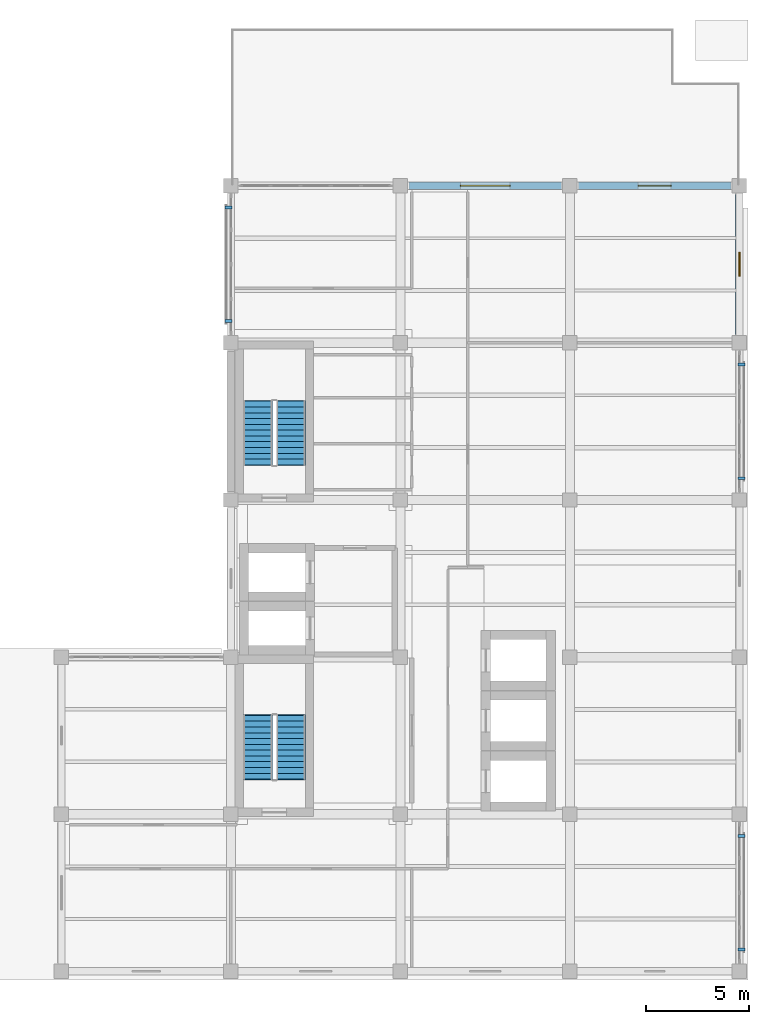
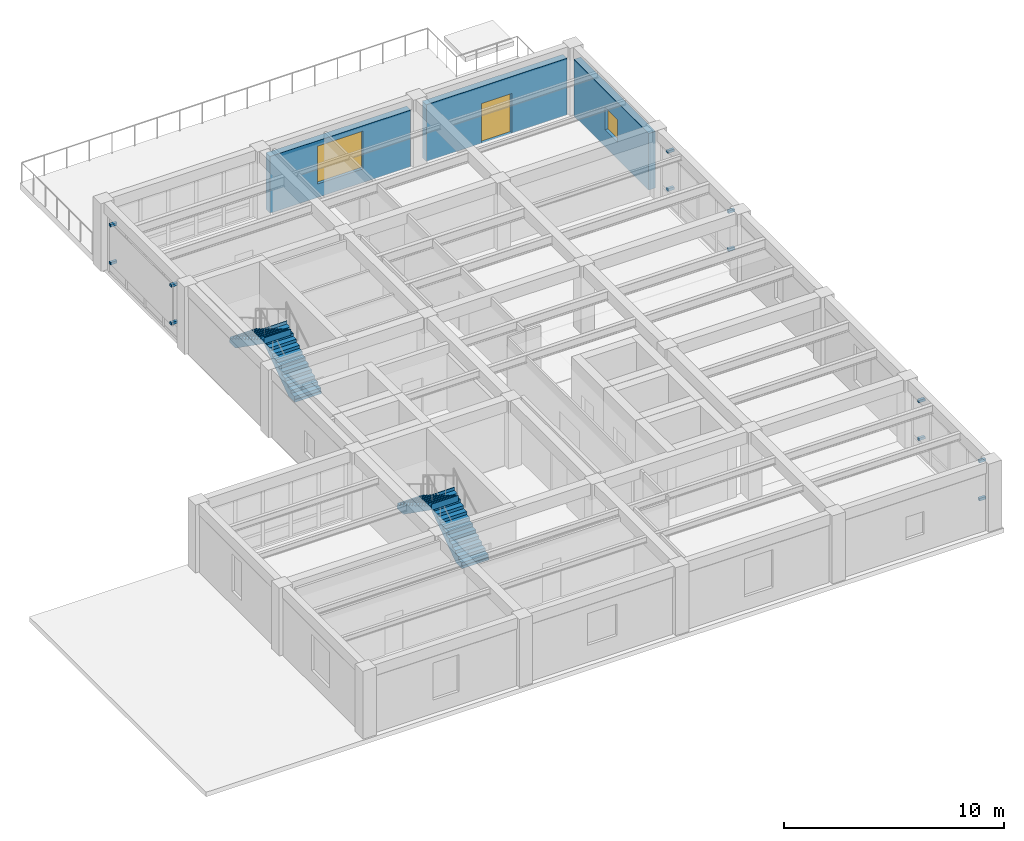
# One storey, part 8 of 11: 12 discrete accessories, 4 stair flights, 3 walls, 2 windows, 1 door, 3 openings, 2 elements without a shape of their own.
"""IFC4 building model written with IfcOpenShell, lengths in metres."""

from ifc_helpers import new_model, si_unit, direction, frame, frame_2d, origin, origin_2d, place, context, subcontext, project, spatial, polyline, rectangle, outline, extrude, material, layer, layer_set, type_object, element, fill, aggregate, save


model = new_model("IFC4")

# Units and contexts
model_context = context("Model", 3, precision=1e-05, world=origin(), true_north=direction((0.0, 1.0)))
body_context = subcontext(model_context, "Body", "Model", "MODEL_VIEW")
ifc_project = project(units=[si_unit("LENGTHUNIT", "METRE"), si_unit("AREAUNIT", "SQUARE_METRE"), si_unit("VOLUMEUNIT", "CUBIC_METRE"), si_unit("PLANEANGLEUNIT", "RADIAN"), si_unit("MASSUNIT", "GRAM", prefix="KILO")], contexts=[model_context])

# Site, building, storey
site_placement = place(None, origin())
site = spatial("IfcSite", under=ifc_project, at=site_placement, CompositionType="ELEMENT")
building_placement = place(site_placement, origin())
building = spatial("IfcBuilding", under=site, at=building_placement, Name="Qandaris Square Conservatory and Botanical Centre", CompositionType="ELEMENT")
storey_placement = place(building_placement, frame((0.0, 0.0, 66.199951171875)))
storey = spatial("IfcBuildingStorey", under=building, at=storey_placement, Name="L15", CompositionType="ELEMENT", Elevation=66.199951171875)

# Wall, opening, window
ifc_material_1 = material(Name="Precast concrete C40/50", Category="concrete")
ifc_layer = layer(ifc_material_1, 0.360107421875)
ifc_layer_set = layer_set([ifc_layer], Name="Precast concrete C40/50")
wall_type = type_object("IfcWallType", Name="Architectural Precast Cladding Wall 360mm", PredefinedType="SOLIDWALL", material=ifc_layer_set)
wall_1_placement = place(storey_placement, frame((163.800048828125, 47.409912109375, 0.0), z_axis=(0.0, 0.0, 1.0), x_axis=(0.0, 1.0, 0.0)))
wall_1 = element("IfcWall", 1, at=wall_1_placement, inside=storey, type_object=wall_type, Name="Exterior Wall EW-TWR-L15-2-5", PredefinedType="SOLIDWALL", context=body_context, shape_type="SweptSolid", body=[
    extrude(rectangle(XDim=6.780029296875, YDim=0.360107421875, at=frame_2d((3.39013671875, 0.0))), origin(), (0.0, 0.0, 1.0), 3.14501953125),
])
opening_1_placement = place(wall_1_placement, frame((2.81494140625, 0.0, 0.949951171875)))
opening_1 = element("IfcOpeningElement", 2, at=opening_1_placement, cuts=wall_1, Name="Opening WN-17", PredefinedType="OPENING", context=body_context, shape_type="SweptSolid", body=[
    extrude(rectangle(XDim=1.14990234375, YDim=1.25, at=frame_2d((0.574951171875, 0.625))), frame((0.0, 0.19189453125, 0.0), z_axis=(0.0, -1.0, 0.0), x_axis=(1.0, 0.0, 0.0)), (0.0, 0.0, 1.0), 0.384033203125),
])
ifc_material_2 = material(Name="Tempered Low-E Glass", Category="glass")
window_type_1 = type_object("IfcWindowType", Name="Solar Control Window 1150x1250", PartitioningType="SINGLE_PANEL", PredefinedType="WINDOW", material=ifc_material_2)
window_1_placement = place(opening_1_placement, origin())
window_1 = element("IfcWindow", 3, at=window_1_placement, inside=storey, type_object=window_type_1, Name="Window EW-TWR-L15-2-5", OverallHeight=1.25, OverallWidth=1.14990234375, PartitioningType="SINGLE_PANEL", PredefinedType="WINDOW", context=body_context, shape_type="SweptSolid", body=[
    extrude(rectangle(XDim=1.14990234375, YDim=1.25, at=frame_2d((0.574951171875, 0.625))), frame((0.0, 0.030029296875, 0.0), z_axis=(0.0, -1.0, 0.0), x_axis=(1.0, 0.0, 0.0)), (0.0, 0.0, 1.0), 0.06005859375),
])
fill(opening_1, window_1)

# Wall, opening, door
wall_2_placement = place(storey_placement, frame((163.389892578125, 54.60009765625, 0.0), z_axis=(0.0, 0.0, 1.0), x_axis=(-1.0, 0.0, 0.0)))
wall_2 = element("IfcWall", 4, at=wall_2_placement, inside=storey, type_object=wall_type, Name="Exterior Wall EW-TWR-L15-3-1", PredefinedType="SOLIDWALL", context=body_context, shape_type="SweptSolid", body=[
    extrude(rectangle(XDim=7.3798828125, YDim=0.360107421875, at=frame_2d((3.68994140625, 0.0))), origin(), (0.0, 0.0, 1.0), 3.14501953125),
])
opening_2_placement = place(wall_2_placement, frame((2.889892578125, 0.0, 0.0)))
opening_2 = element("IfcOpeningElement", 5, at=opening_2_placement, cuts=wall_2, Name="Opening ED-T4", PredefinedType="OPENING", context=body_context, shape_type="SweptSolid", body=[
    extrude(rectangle(XDim=1.60009765625, YDim=2.199951171875, at=frame_2d((0.800048828125, 1.10009765625))), frame((0.0, 0.19189453125, 0.0), z_axis=(0.0, -1.0, 0.0), x_axis=(1.0, 0.0, 0.0)), (0.0, 0.0, 1.0), 0.384033203125),
])
ifc_material_3 = material(Name="Anodised Aluminium", Category="aluminium")
door_type = type_object("IfcDoorType", Name="Terrace Garden Glazed Access Door 1600x2200", OperationType="DOUBLE_DOOR_SINGLE_SWING", PredefinedType="DOOR", material=ifc_material_3)
door_placement = place(opening_2_placement, frame((1.60009765625, 0.0, 0.0), z_axis=(0.0, 0.0, 1.0), x_axis=(-1.0, 0.0, 0.0)))
door = element("IfcDoor", 6, at=door_placement, inside=storey, type_object=door_type, Name="DR-0442 Exterior Exit Door TD-TER-L15", OperationType="DOUBLE_DOOR_SINGLE_SWING", OverallHeight=2.199951171875, OverallWidth=1.60009765625, PredefinedType="DOOR", context=body_context, shape_type="SweptSolid", body=[
    extrude(rectangle(XDim=1.60009765625, YDim=2.199951171875, at=frame_2d((0.800048828125, 1.10009765625))), frame((0.0, 0.02490234375, 0.0), z_axis=(0.0, -1.0, 0.0), x_axis=(1.0, 0.0, 0.0)), (0.0, 0.0, 1.0), 0.050048828125),
])
fill(opening_2, door)

# Wall, opening, window
wall_3_placement = place(storey_placement, frame((155.18994140625, 54.60009765625, 0.0), z_axis=(0.0, 0.0, 1.0), x_axis=(-1.0, 0.0, 0.0)))
wall_3 = element("IfcWall", 7, at=wall_3_placement, inside=storey, type_object=wall_type, Name="Exterior Wall EW-TWR-L15-3-2", PredefinedType="SOLIDWALL", context=body_context, shape_type="SweptSolid", body=[
    extrude(rectangle(XDim=7.3798828125, YDim=0.360107421875, at=frame_2d((3.68994140625, 0.0))), origin(), (0.0, 0.0, 1.0), 3.14501953125),
])
opening_3_placement = place(wall_3_placement, frame((2.489990234375, 0.0, 0.75)))
opening_3 = element("IfcOpeningElement", 8, at=opening_3_placement, cuts=wall_3, Name="Opening WN-04", PredefinedType="OPENING", context=body_context, shape_type="SweptSolid", body=[
    extrude(rectangle(XDim=2.39990234375, YDim=2.10009765625, at=frame_2d((1.199951171875, 1.050048828125))), frame((0.0, 0.19189453125, 0.0), z_axis=(0.0, -1.0, 0.0), x_axis=(1.0, 0.0, 0.0)), (0.0, 0.0, 1.0), 0.384033203125),
])
window_type_2 = type_object("IfcWindowType", Name="North Research Ribbon Window 2400x2100", PartitioningType="TRIPLE_PANEL_VERTICAL", PredefinedType="WINDOW", material=ifc_material_2)
window_2_placement = place(opening_3_placement, origin())
window_2 = element("IfcWindow", 9, at=window_2_placement, inside=storey, type_object=window_type_2, Name="Window EW-TWR-L15-3-2", OverallHeight=2.10009765625, OverallWidth=2.39990234375, PartitioningType="TRIPLE_PANEL_VERTICAL", PredefinedType="WINDOW", context=body_context, shape_type="SweptSolid", body=[
    extrude(rectangle(XDim=2.39990234375, YDim=2.10009765625, at=frame_2d((1.199951171875, 1.050048828125))), frame((0.0, 0.030029296875, 0.0), z_axis=(0.0, -1.0, 0.0), x_axis=(1.0, 0.0, 0.0)), (0.0, 0.0, 1.0), 0.06005859375),
])
fill(opening_3, window_2)

# Stair, stair flights
ifc_material_4 = material(Name="Concrete C40/50", Category="concrete")
stair_type = type_object("IfcStairType", Name="Core Escape Scissor Stair", PredefinedType="HALF_TURN_STAIR", material=ifc_material_4)
stair_1_placement = place(storey_placement, origin())
stair_1 = element("IfcStair", 10, at=stair_1_placement, inside=storey, type_object=stair_type, Name="L15 Tower South Exit Stair ST-1", PredefinedType="HALF_TURN_STAIR")
stair_flight_type = type_object("IfcStairFlightType", Name="RC Precast Stair Flight 1400mm", PredefinedType="STRAIGHT", material=ifc_material_1)
stair_flight_1_placement = place(storey_placement, frame((142.10009765625, 25.89990234375, 0.0), z_axis=(0.0, 0.0, 1.0), x_axis=(0.0, 1.0, 0.0)))
stair_flight_1 = element("IfcStairFlight", 11, at=stair_flight_1_placement, type_object=stair_flight_type, Name="ST-1 flight 1", NumberOfRisers=12, NumberOfTreads=11, PredefinedType="STRAIGHT", RiserHeight=0.166666667, TreadLength=0.28, context=body_context, shape_type="SweptSolid", body=[
    extrude(outline(polyline([(-0.034912109375, 0.0), (0.0, 0.0), (0.0, 0.166748046875), (0.280029296875, 0.166748046875), (0.280029296875, 0.333251953125), (0.56005859375, 0.333251953125), (0.56005859375, 0.5), (0.840087890625, 0.5), (0.840087890625, 0.666748046875), (1.1201171875, 0.666748046875), (1.1201171875, 0.833251953125), (1.39990234375, 0.833251953125), (1.39990234375, 1.0), (1.679931640625, 1.0), (1.679931640625, 1.166748046875), (1.9599609375, 1.166748046875), (1.9599609375, 1.333251953125), (2.239990234375, 1.333251953125), (2.239990234375, 1.5), (2.52001953125, 1.5), (2.52001953125, 1.666748046875), (2.800048828125, 1.666748046875), (2.800048828125, 1.833251953125), (3.080078125, 1.833251953125), (3.080078125, 2.0), (3.114990234375, 2.0), (3.114990234375, 1.658935546875), (3.080078125, 1.658935546875), (0.5283203125, -0.139892578125), (-0.034912109375, -0.139892578125), (-0.034912109375, 0.0)])), frame((0.0, 0.699951171875, 0.0), z_axis=(0.0, -1.0, 0.0), x_axis=(1.0, 0.0, 0.0)), (0.0, 0.0, 1.0), 1.39990234375),
])
stair_flight_2_placement = place(storey_placement, frame((140.5, 28.97998046875, 2.0), z_axis=(0.0, 0.0, 1.0), x_axis=(0.0, -1.0, 0.0)))
stair_flight_2 = element("IfcStairFlight", 12, at=stair_flight_2_placement, type_object=stair_flight_type, Name="ST-1 flight 2", NumberOfRisers=12, NumberOfTreads=11, PredefinedType="STRAIGHT", RiserHeight=0.166666667, TreadLength=0.28, context=body_context, shape_type="SweptSolid", body=[
    extrude(outline(polyline([(-0.034912109375, 0.0), (0.0, 0.0), (0.0, 0.166748046875), (0.280029296875, 0.166748046875), (0.280029296875, 0.333251953125), (0.56005859375, 0.333251953125), (0.56005859375, 0.5), (0.840087890625, 0.5), (0.840087890625, 0.666748046875), (1.1201171875, 0.666748046875), (1.1201171875, 0.833251953125), (1.39990234375, 0.833251953125), (1.39990234375, 1.0), (1.679931640625, 1.0), (1.679931640625, 1.166748046875), (1.9599609375, 1.166748046875), (1.9599609375, 1.333251953125), (2.239990234375, 1.333251953125), (2.239990234375, 1.5), (2.52001953125, 1.5), (2.52001953125, 1.666748046875), (2.800048828125, 1.666748046875), (2.800048828125, 1.833251953125), (3.080078125, 1.833251953125), (3.080078125, 2.0), (3.114990234375, 2.0), (3.114990234375, 1.658935546875), (3.080078125, 1.658935546875), (0.5283203125, -0.139892578125), (-0.034912109375, -0.139892578125), (-0.034912109375, 0.0)])), frame((0.0, 0.699951171875, 0.0), z_axis=(0.0, -1.0, 0.0), x_axis=(1.0, 0.0, 0.0)), (0.0, 0.0, 1.0), 1.39990234375),
])
aggregate(stair_1, [stair_flight_1, stair_flight_2])

stair_2_placement = place(storey_placement, origin())
stair_2 = element("IfcStair", 13, at=stair_2_placement, inside=storey, type_object=stair_type, Name="L15 Tower North Exit Stair ST-2", PredefinedType="HALF_TURN_STAIR")
stair_flight_3_placement = place(storey_placement, frame((142.10009765625, 41.10009765625, 0.0), z_axis=(0.0, 0.0, 1.0), x_axis=(0.0, 1.0, 0.0)))
stair_flight_3 = element("IfcStairFlight", 14, at=stair_flight_3_placement, type_object=stair_flight_type, Name="ST-2 flight 1", NumberOfRisers=12, NumberOfTreads=11, PredefinedType="STRAIGHT", RiserHeight=0.166666667, TreadLength=0.28, context=body_context, shape_type="SweptSolid", body=[
    extrude(outline(polyline([(-0.034912109375, 0.0), (0.0, 0.0), (0.0, 0.166748046875), (0.280029296875, 0.166748046875), (0.280029296875, 0.333251953125), (0.56005859375, 0.333251953125), (0.56005859375, 0.5), (0.840087890625, 0.5), (0.840087890625, 0.666748046875), (1.1201171875, 0.666748046875), (1.1201171875, 0.833251953125), (1.39990234375, 0.833251953125), (1.39990234375, 1.0), (1.679931640625, 1.0), (1.679931640625, 1.166748046875), (1.9599609375, 1.166748046875), (1.9599609375, 1.333251953125), (2.239990234375, 1.333251953125), (2.239990234375, 1.5), (2.52001953125, 1.5), (2.52001953125, 1.666748046875), (2.800048828125, 1.666748046875), (2.800048828125, 1.833251953125), (3.080078125, 1.833251953125), (3.080078125, 2.0), (3.114990234375, 2.0), (3.114990234375, 1.658935546875), (3.080078125, 1.658935546875), (0.5283203125, -0.139892578125), (-0.034912109375, -0.139892578125), (-0.034912109375, 0.0)])), frame((0.0, 0.699951171875, 0.0), z_axis=(0.0, -1.0, 0.0), x_axis=(1.0, 0.0, 0.0)), (0.0, 0.0, 1.0), 1.39990234375),
])
stair_flight_4_placement = place(storey_placement, frame((140.5, 44.179931640625, 2.0), z_axis=(0.0, 0.0, 1.0), x_axis=(0.0, -1.0, 0.0)))
stair_flight_4 = element("IfcStairFlight", 15, at=stair_flight_4_placement, type_object=stair_flight_type, Name="ST-2 flight 2", NumberOfRisers=12, NumberOfTreads=11, PredefinedType="STRAIGHT", RiserHeight=0.166666667, TreadLength=0.28, context=body_context, shape_type="SweptSolid", body=[
    extrude(outline(polyline([(-0.034912109375, 0.0), (0.0, 0.0), (0.0, 0.166748046875), (0.280029296875, 0.166748046875), (0.280029296875, 0.333251953125), (0.56005859375, 0.333251953125), (0.56005859375, 0.5), (0.840087890625, 0.5), (0.840087890625, 0.666748046875), (1.1201171875, 0.666748046875), (1.1201171875, 0.833251953125), (1.39990234375, 0.833251953125), (1.39990234375, 1.0), (1.679931640625, 1.0), (1.679931640625, 1.166748046875), (1.9599609375, 1.166748046875), (1.9599609375, 1.333251953125), (2.239990234375, 1.333251953125), (2.239990234375, 1.5), (2.52001953125, 1.5), (2.52001953125, 1.666748046875), (2.800048828125, 1.666748046875), (2.800048828125, 1.833251953125), (3.080078125, 1.833251953125), (3.080078125, 2.0), (3.114990234375, 2.0), (3.114990234375, 1.658935546875), (3.080078125, 1.658935546875), (0.5283203125, -0.139892578125), (-0.034912109375, -0.139892578125), (-0.034912109375, 0.0)])), frame((0.0, 0.699951171875, 0.0), z_axis=(0.0, -1.0, 0.0), x_axis=(1.0, 0.0, 0.0)), (0.0, 0.0, 1.0), 1.39990234375),
])
aggregate(stair_2, [stair_flight_3, stair_flight_4])

# Discrete accessories
ifc_material_5 = material(Name="Steel S355", Category="steel")
discrete_accessory_type = type_object("IfcDiscreteAccessoryType", Name="Mashrabiya Support Outrigger Bracket", PredefinedType="BRACKET", material=ifc_material_5)
for number, where, z_axis, x_axis, name in (
    (16, (163.909912109375, 17.64990234375, 0.80859375), (0.0, 0.0, 1.0), (0.0, 1.0, 0.0), "Mashrabiya Bracket CW-TWR-L15-2-1-BRK-6-671"),
    (17, (163.909912109375, 17.64990234375, 2.91015625), (0.0, 0.0, 1.0), (0.0, 1.0, 0.0), "Mashrabiya Bracket CW-TWR-L15-2-1-BRK-6-692"),
    (18, (163.909912109375, 23.14990234375, 0.80859375), (0.0, 0.0, 1.0), (0.0, 1.0, 0.0), "Mashrabiya Bracket CW-TWR-L15-2-1-BRK-61-671"),
    (19, (163.909912109375, 23.14990234375, 2.91015625), (0.0, 0.0, 1.0), (0.0, 1.0, 0.0), "Mashrabiya Bracket CW-TWR-L15-2-1-BRK-61-692"),
    (20, (163.909912109375, 40.449951171875, 0.80859375), (0.0, 0.0, 1.0), (0.0, 1.0, 0.0), "Mashrabiya Bracket CW-TWR-L15-2-4-BRK-6-671"),
    (21, (163.909912109375, 40.449951171875, 2.91015625), (0.0, 0.0, 1.0), (0.0, 1.0, 0.0), "Mashrabiya Bracket CW-TWR-L15-2-4-BRK-6-692"),
    (22, (163.909912109375, 45.949951171875, 0.80859375), (0.0, 0.0, 1.0), (0.0, 1.0, 0.0), "Mashrabiya Bracket CW-TWR-L15-2-4-BRK-61-671"),
    (23, (163.909912109375, 45.949951171875, 2.91015625), (0.0, 0.0, 1.0), (0.0, 1.0, 0.0), "Mashrabiya Bracket CW-TWR-L15-2-4-BRK-61-692"),
    (24, (139.090087890625, 53.550048828125, 0.80859375), (0.0, 0.0, 1.0), (0.0, -1.0, 0.0), "Mashrabiya Bracket CW-TWR-L15-4-1-BRK-6-671"),
    (25, (139.090087890625, 53.550048828125, 2.91015625), (0.0, 0.0, 1.0), (0.0, -1.0, 0.0), "Mashrabiya Bracket CW-TWR-L15-4-1-BRK-6-692"),
    (26, (139.090087890625, 48.050048828125, 0.80859375), (0.0, 0.0, 1.0), (0.0, -1.0, 0.0), "Mashrabiya Bracket CW-TWR-L15-4-1-BRK-61-671"),
    (27, (139.090087890625, 48.050048828125, 2.91015625), (0.0, 0.0, 1.0), (0.0, -1.0, 0.0), "Mashrabiya Bracket CW-TWR-L15-4-1-BRK-61-692"),
):
    element("IfcDiscreteAccessory", number, at=place(storey_placement, frame(where, z_axis=z_axis, x_axis=x_axis)), inside=storey, type_object=discrete_accessory_type, Name=name, PredefinedType="BRACKET", context=body_context, shape_type="SweptSolid", body=[
        extrude(rectangle(XDim=0.139892578125, YDim=0.340087890625, at=origin_2d()), origin(), (0.0, 0.0, 1.0), 0.139892578125),
    ])

save(model, "model.ifc")
